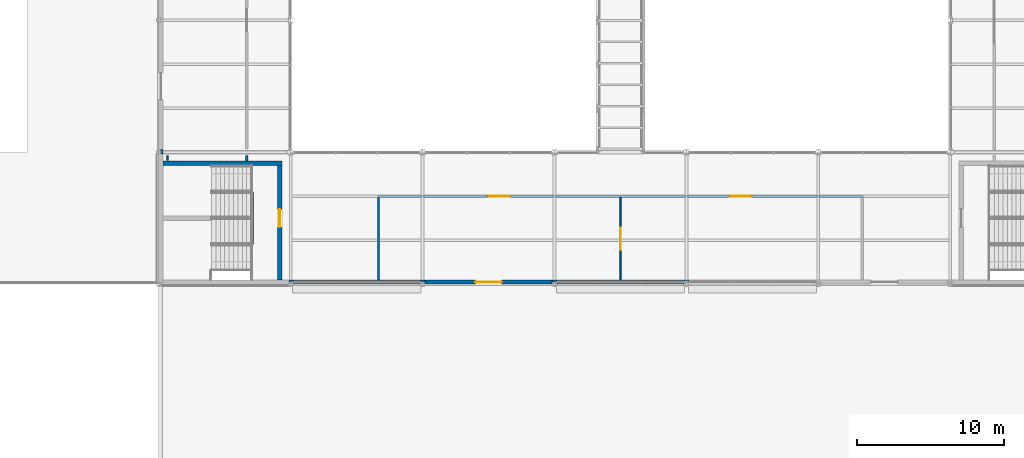
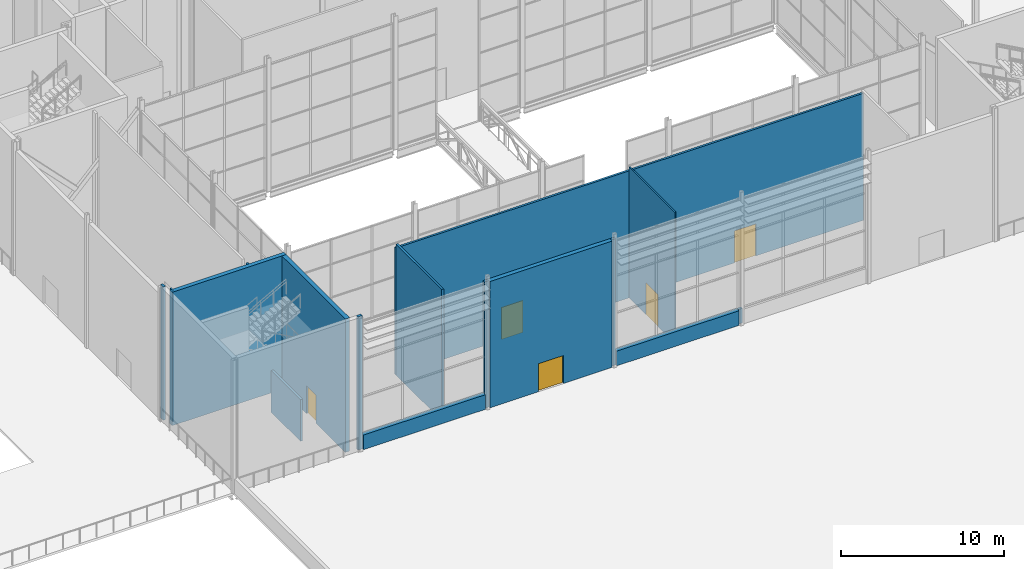
# One storey, part 85 of 111: 16 walls, 5 doors, 5 openings.
"""IFC4 building model written with IfcOpenShell, lengths in metres."""

from ifc_helpers import new_model, si_unit, direction, frame, frame_2d, origin, place, context, subcontext, project, spatial, rectangle, extrude, material, layer, layer_set, type_object, element, fill, save


model = new_model("IFC4")

# Units and contexts
model_context = context("Model", 3, precision=1e-05, world=origin(), true_north=direction((0.0, 1.0)))
body_context = subcontext(model_context, "Body", "Model", "MODEL_VIEW")
ifc_project = project(units=[si_unit("LENGTHUNIT", "METRE"), si_unit("AREAUNIT", "SQUARE_METRE"), si_unit("VOLUMEUNIT", "CUBIC_METRE"), si_unit("PLANEANGLEUNIT", "RADIAN"), si_unit("MASSUNIT", "GRAM", prefix="KILO")], contexts=[model_context])

# Site, building, storey
site_placement = place(None, origin())
site = spatial("IfcSite", under=ifc_project, at=site_placement, CompositionType="ELEMENT")
building_placement = place(site_placement, origin())
building = spatial("IfcBuilding", under=site, at=building_placement, Name="Shorebreak Coast Museum", CompositionType="ELEMENT")
storey_placement = place(building_placement, frame((0.0, 0.0, 16.0)))
storey = spatial("IfcBuildingStorey", under=building, at=storey_placement, Name="L03", CompositionType="ELEMENT", Elevation=16.0)

# Walls
ifc_material_1 = material(Name="Concrete N50 (50 MPa)", Category="concrete")
ifc_layer_1 = layer(ifc_material_1, 0.175048828125)
ifc_layer_set_1 = layer_set([ifc_layer_1], Name="Concrete N50 (50 MPa)")
wall_type_1 = type_object("IfcWallType", Name="Column closure panel 175", PredefinedType="SOLIDWALL", material=ifc_layer_set_1)
wall_1_placement = place(storey_placement, frame((62.875, 54.21240234375, 0.0), z_axis=(0.0, 0.0, 1.0), x_axis=(1.0, 0.0, 0.0)))
element("IfcWall", 1, at=wall_1_placement, inside=storey, type_object=wall_type_1, Name="Column closure panel L03 S 8G", PredefinedType="SOLIDWALL", context=body_context, shape_type="SweptSolid", body=[
    extrude(rectangle(XDim=0.322021484375, YDim=0.175048828125, at=frame_2d((0.1611328125, 0.0))), origin(), (0.0, 0.0, 1.0), 10.0),
])
for number, where, z_axis, x_axis, name in (
    (2, (71.839111328125, 54.21240234375, 0.0), (0.0, 0.0, 1.0), (1.0, 0.0, 0.0), "Column closure panel L03 S 9G"),
    (3, (80.839111328125, 54.21240234375, 0.0), (0.0, 0.0, 1.0), (1.0, 0.0, 0.0), "Column closure panel L03 S 10G"),
):
    element("IfcWall", number, at=place(storey_placement, frame(where, z_axis=z_axis, x_axis=x_axis)), inside=storey, type_object=wall_type_1, Name=name, PredefinedType="SOLIDWALL", context=body_context, shape_type="SweptSolid", body=[
        extrude(rectangle(XDim=0.32177734375, YDim=0.175048828125, at=frame_2d((0.160888671875, 0.0))), origin(), (0.0, 0.0, 1.0), 9.472900390625),
    ])
wall_2_placement = place(storey_placement, frame((89.839111328125, 54.21240234375, 0.0), z_axis=(0.0, 0.0, 1.0), x_axis=(1.0, 0.0, 0.0)))
element("IfcWall", 4, at=wall_2_placement, inside=storey, type_object=wall_type_1, Name="Column closure panel L03 S 11G", PredefinedType="SOLIDWALL", context=body_context, shape_type="SweptSolid", body=[
    extrude(rectangle(XDim=0.32177734375, YDim=0.175048828125, at=frame_2d((0.160888671875, 0.0))), origin(), (0.0, 0.0, 1.0), 1.10009765625),
])
wall_3_placement = place(storey_placement, frame((54.21240234375, 62.875, 0.0), z_axis=(0.0, 0.0, 1.0), x_axis=(0.0, 1.0, 0.0)))
element("IfcWall", 5, at=wall_3_placement, inside=storey, type_object=wall_type_1, Name="Column closure panel L03 W 7H", PredefinedType="SOLIDWALL", context=body_context, shape_type="SweptSolid", body=[
    extrude(rectangle(XDim=0.322021484375, YDim=0.175048828125, at=frame_2d((0.1611328125, 0.0))), origin(), (0.0, 0.0, 1.0), 10.0),
])

# Wall, openings, doors
ifc_material_2 = material(Name="Plasterboard on steel stud", Category="steel")
ifc_layer_2 = layer(ifc_material_2, 0.14990234375)
ifc_layer_set_2 = layer_set([ifc_layer_2], Name="Plasterboard on steel stud")
wall_type_2 = type_object("IfcWallType", Name="Fire partition 150", PredefinedType="PARTITIONING", material=ifc_layer_set_2)
wall_4_placement = place(storey_placement, frame((68.925048828125, 60.0, 0.0), z_axis=(0.0, 0.0, 1.0), x_axis=(1.0, 0.0, 0.0)))
wall_4 = element("IfcWall", 6, at=wall_4_placement, inside=storey, type_object=wall_type_2, Name="Partition L03-004", PredefinedType="PARTITIONING", context=body_context, shape_type="SweptSolid", body=[
    extrude(rectangle(XDim=33.14990234375, YDim=0.14990234375, at=frame_2d((16.574951171875, 0.0))), origin(), (0.0, 0.0, 1.0), 9.52099609375),
])
opening_1_placement = place(wall_4_placement, frame((7.52490234375, 0.0, 0.0)))
opening_1 = element("IfcOpeningElement", 7, at=opening_1_placement, cuts=wall_4, Name="Opening D3003", PredefinedType="OPENING", context=body_context, shape_type="SweptSolid", body=[
    extrude(rectangle(XDim=1.5, YDim=2.39990234375, at=frame_2d((0.75, 1.199951171875))), frame((0.0, 0.0849609375, 0.0), z_axis=(0.0, -1.0, 0.0), x_axis=(1.0, 0.0, 0.0)), (0.0, 0.0, 1.0), 0.169921875),
])
opening_2_placement = place(wall_4_placement, frame((24.02490234375, 0.0, 0.0)))
opening_2 = element("IfcOpeningElement", 8, at=opening_2_placement, cuts=wall_4, Name="Opening D3004", PredefinedType="OPENING", context=body_context, shape_type="SweptSolid", body=[
    extrude(rectangle(XDim=1.5, YDim=2.39990234375, at=frame_2d((0.75, 1.199951171875))), frame((0.0, 0.0849609375, 0.0), z_axis=(0.0, -1.0, 0.0), x_axis=(1.0, 0.0, 0.0)), (0.0, 0.0, 1.0), 0.169921875),
])
ifc_material_3 = material(Name="Steel", Category="steel")
door_type_1 = type_object("IfcDoorType", Name="Fire door 1500x2400 60", OperationType="DOUBLE_DOOR_SINGLE_SWING", PredefinedType="DOOR", material=ifc_material_3)
door_1_placement = place(opening_1_placement, origin())
door_1 = element("IfcDoor", 9, at=door_1_placement, inside=storey, type_object=door_type_1, Name="Door D3003 Sculpture Gallery", OperationType="DOUBLE_DOOR_SINGLE_SWING", OverallHeight=2.39990234375, OverallWidth=1.5, PredefinedType="DOOR", context=body_context, shape_type="SweptSolid", body=[
    extrude(rectangle(XDim=1.5, YDim=2.39990234375, at=frame_2d((0.75, 1.199951171875))), frame((0.0, 0.02490234375, 0.0), z_axis=(0.0, -1.0, 0.0), x_axis=(1.0, 0.0, 0.0)), (0.0, 0.0, 1.0), 0.050048828125),
])
fill(opening_1, door_1)
door_2_placement = place(opening_2_placement, origin())
door_2 = element("IfcDoor", 10, at=door_2_placement, inside=storey, type_object=door_type_1, Name="Door D3004 Temporary Gallery 3.01", OperationType="DOUBLE_DOOR_SINGLE_SWING", OverallHeight=2.39990234375, OverallWidth=1.5, PredefinedType="DOOR", context=body_context, shape_type="SweptSolid", body=[
    extrude(rectangle(XDim=1.5, YDim=2.39990234375, at=frame_2d((0.75, 1.199951171875))), frame((0.0, 0.02490234375, 0.0), z_axis=(0.0, -1.0, 0.0), x_axis=(1.0, 0.0, 0.0)), (0.0, 0.0, 1.0), 0.050048828125),
])
fill(opening_2, door_2)

# Walls
wall_5_placement = place(storey_placement, frame((60.0, 62.39990234375, 0.0), z_axis=(0.0, 0.0, 1.0), x_axis=(0.0, 1.0, 0.0)))
element("IfcWall", 11, at=wall_5_placement, inside=storey, type_object=wall_type_2, Name="Partition L03-044", PredefinedType="PARTITIONING", context=body_context, shape_type="SweptSolid", body=[
    extrude(rectangle(XDim=0.380126953125, YDim=0.14990234375, at=frame_2d((0.18994140625, 0.0))), origin(), (0.0, 0.0, 1.0), 9.824951171875),
])
wall_6_placement = place(storey_placement, frame((69.0, 54.300048828125, 0.0), z_axis=(0.0, 0.0, 1.0), x_axis=(0.0, 1.0, 0.0)))
element("IfcWall", 12, at=wall_6_placement, inside=storey, type_object=wall_type_2, Name="Partition L03-052", PredefinedType="PARTITIONING", context=body_context, shape_type="SweptSolid", body=[
    extrude(rectangle(XDim=5.625, YDim=0.14990234375, at=frame_2d((2.8125, 0.0))), origin(), (0.0, 0.0, 1.0), 9.824951171875),
])
ifc_material_4 = material(Name="Plasterboard on steel stud", Category="steel")
ifc_layer_3 = layer(ifc_material_4, 0.10009765625)
ifc_layer_set_3 = layer_set([ifc_layer_3], Name="Plasterboard on steel stud")
wall_type_3 = type_object("IfcWallType", Name="Partition 100", PredefinedType="PARTITIONING", material=ifc_layer_set_3)
wall_7_placement = place(storey_placement, frame((54.60009765625, 62.449951171875, 0.0), z_axis=(0.0, 0.0, 1.0), x_axis=(0.0, 1.0, 0.0)))
element("IfcWall", 13, at=wall_7_placement, inside=storey, type_object=wall_type_3, Name="Partition L03-040", PredefinedType="PARTITIONING", context=body_context, shape_type="SweptSolid", body=[
    extrude(rectangle(XDim=0.330078125, YDim=0.10009765625, at=frame_2d((0.1650390625, 0.0))), origin(), (0.0, 0.0, 1.0), 9.824951171875),
])

# Wall, opening, door
wall_8_placement = place(storey_placement, frame((85.5, 54.300048828125, 0.0), z_axis=(0.0, 0.0, 1.0), x_axis=(0.0, 1.0, 0.0)))
wall_8 = element("IfcWall", 14, at=wall_8_placement, inside=storey, type_object=wall_type_3, Name="Partition L03-057", PredefinedType="PARTITIONING", context=body_context, shape_type="SweptSolid", body=[
    extrude(rectangle(XDim=5.625, YDim=0.10009765625, at=frame_2d((2.8125, 0.0))), origin(), (0.0, 0.0, 1.0), 9.824951171875),
])
opening_3_placement = place(wall_8_placement, frame((2.050048828125, 0.0, 0.0)))
opening_3 = element("IfcOpeningElement", 15, at=opening_3_placement, cuts=wall_8, Name="Opening D3030", PredefinedType="OPENING", context=body_context, shape_type="SweptSolid", body=[
    extrude(rectangle(XDim=1.5, YDim=2.39990234375, at=frame_2d((0.75, 1.199951171875))), frame((0.0, 0.06005859375, 0.0), z_axis=(0.0, -1.0, 0.0), x_axis=(1.0, 0.0, 0.0)), (0.0, 0.0, 1.0), 0.1201171875),
])
ifc_material_5 = material(Name="Timber", Category="wood")
door_type_2 = type_object("IfcDoorType", Name="Interior door 1500x2400", OperationType="DOUBLE_DOOR_SINGLE_SWING", PredefinedType="DOOR", material=ifc_material_5)
door_3_placement = place(opening_3_placement, origin())
door_3 = element("IfcDoor", 16, at=door_3_placement, inside=storey, type_object=door_type_2, Name="Door D3030 Sculpture Gallery", OperationType="DOUBLE_DOOR_SINGLE_SWING", OverallHeight=2.39990234375, OverallWidth=1.5, PredefinedType="DOOR", context=body_context, shape_type="SweptSolid", body=[
    extrude(rectangle(XDim=1.5, YDim=2.39990234375, at=frame_2d((0.75, 1.199951171875))), frame((0.0, 0.02490234375, 0.0), z_axis=(0.0, -1.0, 0.0), x_axis=(1.0, 0.0, 0.0)), (0.0, 0.0, 1.0), 0.050048828125),
])
fill(opening_3, door_3)

# Wall
ifc_material_6 = material(Name="Concrete N50 (50 MPa)", Category="concrete")
ifc_layer_4 = layer(ifc_material_6, 0.300048828125)
ifc_layer_set_4 = layer_set([ifc_layer_4], Name="Concrete N50 (50 MPa)")
wall_type_4 = type_object("IfcWallType", Name="Precast board-marked panel 300", PredefinedType="SOLIDWALL", material=ifc_layer_set_4)
wall_9_placement = place(storey_placement, frame((63.197021484375, 54.14990234375, 0.0), z_axis=(0.0, 0.0, 1.0), x_axis=(1.0, 0.0, 0.0)))
element("IfcWall", 17, at=wall_9_placement, inside=storey, type_object=wall_type_4, Name="External wall L03 S 8G", PredefinedType="SOLIDWALL", context=body_context, shape_type="SweptSolid", body=[
    extrude(rectangle(XDim=8.64208984375, YDim=0.300048828125, at=frame_2d((4.321044921875, 0.0))), origin(), (0.0, 0.0, 1.0), 1.10009765625),
])

# Wall, opening, door
wall_10_placement = place(storey_placement, frame((72.160888671875, 54.14990234375, 0.0), z_axis=(0.0, 0.0, 1.0), x_axis=(1.0, 0.0, 0.0)))
wall_10 = element("IfcWall", 18, at=wall_10_placement, inside=storey, type_object=wall_type_4, Name="External wall L03 S 9G", PredefinedType="SOLIDWALL", context=body_context, shape_type="SweptSolid", body=[
    extrude(rectangle(XDim=8.67822265625, YDim=0.300048828125, at=frame_2d((4.339111328125, 0.0))), origin(), (0.0, 0.0, 1.0), 9.472900390625),
])
opening_4_placement = place(wall_10_placement, frame((3.43896484375, 0.0, 0.0)))
opening_4 = element("IfcOpeningElement", 19, at=opening_4_placement, cuts=wall_10, Name="Opening D0914", PredefinedType="OPENING", context=body_context, shape_type="SweptSolid", body=[
    extrude(rectangle(XDim=1.800048828125, YDim=2.10009765625, at=frame_2d((0.89990234375, 1.050048828125))), frame((0.0, 0.159912109375, 0.0), z_axis=(0.0, -1.0, 0.0), x_axis=(1.0, 0.0, 0.0)), (0.0, 0.0, 1.0), 0.320068359375),
])
ifc_material_7 = material(Name="Aluminium", Category="aluminium")
door_type_3 = type_object("IfcDoorType", Name="Garden door pair 1800 x 2100", OperationType="DOUBLE_DOOR_SINGLE_SWING", PredefinedType="DOOR", material=ifc_material_7)
door_4_placement = place(opening_4_placement, origin())
door_4 = element("IfcDoor", 20, at=door_4_placement, inside=storey, type_object=door_type_3, Name="Garden door RG-S1 D0914", OperationType="DOUBLE_DOOR_SINGLE_SWING", OverallHeight=2.10009765625, OverallWidth=1.800048828125, PredefinedType="DOOR", context=body_context, shape_type="SweptSolid", body=[
    extrude(rectangle(XDim=1.800048828125, YDim=2.10009765625, at=frame_2d((0.89990234375, 1.050048828125))), frame((0.0, 0.02490234375, 0.0), z_axis=(0.0, -1.0, 0.0), x_axis=(1.0, 0.0, 0.0)), (0.0, 0.0, 1.0), 0.050048828125),
])
fill(opening_4, door_4)

# Walls
wall_11_placement = place(storey_placement, frame((81.160888671875, 54.14990234375, 0.0), z_axis=(0.0, 0.0, 1.0), x_axis=(1.0, 0.0, 0.0)))
element("IfcWall", 21, at=wall_11_placement, inside=storey, type_object=wall_type_4, Name="External wall L03 S 10G", PredefinedType="SOLIDWALL", context=body_context, shape_type="SweptSolid", body=[
    extrude(rectangle(XDim=8.67822265625, YDim=0.300048828125, at=frame_2d((4.339111328125, 0.0))), origin(), (0.0, 0.0, 1.0), 1.10009765625),
])
ifc_material_8 = material(Name="Concrete N50 (50 MPa)", Category="concrete")
ifc_layer_5 = layer(ifc_material_8, 0.300048828125)
ifc_layer_set_5 = layer_set([ifc_layer_5], Name="Concrete N50 (50 MPa)")
wall_type_5 = type_object("IfcWallType", Name="RC wall 300", PredefinedType="SHEAR", material=ifc_layer_set_5)
wall_12_placement = place(storey_placement, frame((54.300048828125, 62.25, 0.0), z_axis=(0.0, 0.0, 1.0), x_axis=(1.0, 0.0, 0.0)))
element("IfcWall", 22, at=wall_12_placement, inside=storey, type_object=wall_type_5, Name="Stair core wall ST01 L03 N", PredefinedType="SHEAR", context=body_context, shape_type="SweptSolid", body=[
    extrude(rectangle(XDim=8.099853515625, YDim=0.300048828125, at=frame_2d((4.0498046875, 0.0))), origin(), (0.0, 0.0, 1.0), 10.0),
])

# Wall, opening, door
wall_13_placement = place(storey_placement, frame((62.25, 54.300048828125, 0.0), z_axis=(0.0, 0.0, 1.0), x_axis=(0.0, 1.0, 0.0)))
wall_13 = element("IfcWall", 23, at=wall_13_placement, inside=storey, type_object=wall_type_5, Name="Stair core wall ST01 L03 E", PredefinedType="SHEAR", context=body_context, shape_type="SweptSolid", body=[
    extrude(rectangle(XDim=7.800048828125, YDim=0.300048828125, at=frame_2d((3.89990234375, 0.0))), origin(), (0.0, 0.0, 1.0), 10.0),
])
opening_5_placement = place(wall_13_placement, frame((3.60009765625, 0.0, 0.0)))
opening_5 = element("IfcOpeningElement", 24, at=opening_5_placement, cuts=wall_13, Name="Opening D3801", PredefinedType="OPENING", context=body_context, shape_type="SweptSolid", body=[
    extrude(rectangle(XDim=1.199951171875, YDim=2.10009765625, at=frame_2d((0.60009765625, 1.050048828125))), frame((0.0, 0.159912109375, 0.0), z_axis=(0.0, -1.0, 0.0), x_axis=(1.0, 0.0, 0.0)), (0.0, 0.0, 1.0), 0.320068359375),
])
ifc_material_9 = material(Name="Steel Grade 300", Category="steel")
door_type_4 = type_object("IfcDoorType", Name="Fire door 1200x2100", OperationType="SINGLE_SWING_LEFT", PredefinedType="DOOR", material=ifc_material_9)
door_5_placement = place(opening_5_placement, origin())
door_5 = element("IfcDoor", 25, at=door_5_placement, inside=storey, type_object=door_type_4, Name="Stair door ST01 L03", OperationType="SINGLE_SWING_LEFT", OverallHeight=2.10009765625, OverallWidth=1.199951171875, PredefinedType="DOOR", context=body_context, shape_type="SweptSolid", body=[
    extrude(rectangle(XDim=1.199951171875, YDim=2.10009765625, at=frame_2d((0.60009765625, 1.050048828125))), frame((0.0, 0.02490234375, 0.0), z_axis=(0.0, -1.0, 0.0), x_axis=(1.0, 0.0, 0.0)), (0.0, 0.0, 1.0), 0.050048828125),
])
fill(opening_5, door_5)

# Wall
ifc_material_10 = material(Name="Concrete N50 (50 MPa)", Category="concrete")
ifc_layer_6 = layer(ifc_material_10, 0.14990234375)
ifc_layer_set_6 = layer_set([ifc_layer_6], Name="Concrete N50 (50 MPa)")
wall_type_6 = type_object("IfcWallType", Name="Understair wall 150", PredefinedType="STANDARD", material=ifc_layer_set_6)
wall_14_placement = place(storey_placement, frame((60.375, 56.699951171875, 0.0), z_axis=(0.0, 0.0, 1.0), x_axis=(0.0, 1.0, 0.0)))
element("IfcWall", 26, at=wall_14_placement, inside=storey, type_object=wall_type_6, Name="Understair wall ST01 L03 floor", PredefinedType="STANDARD", context=body_context, shape_type="SweptSolid", body=[
    extrude(rectangle(XDim=3.60009765625, YDim=0.14990234375, at=frame_2d((1.800048828125, 0.0))), origin(), (0.0, 0.0, 1.0), 3.13330078125),
])

save(model, "model.ifc")
